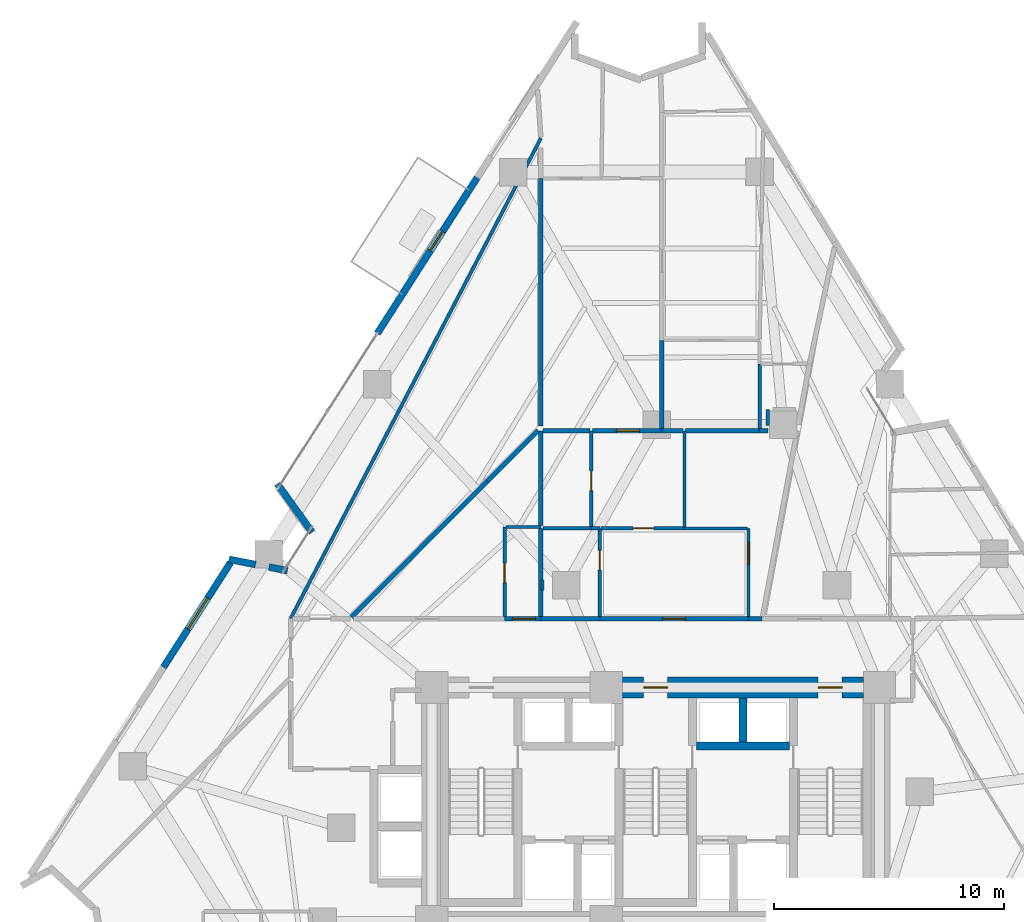
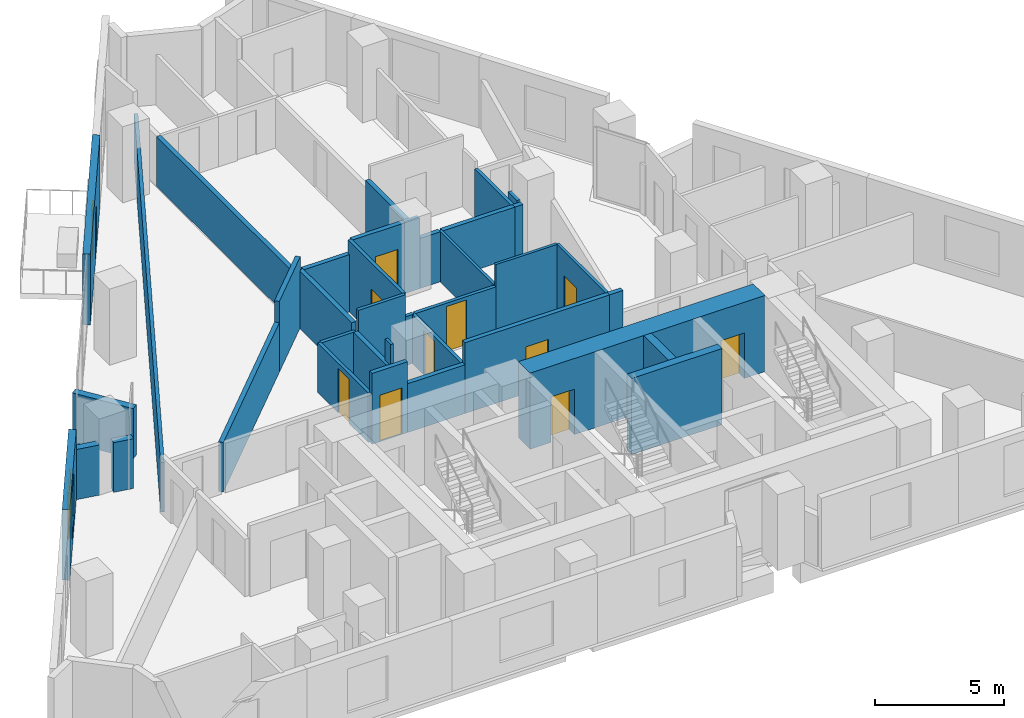
# One storey, part 7 of 13: 37 walls, 11 doors, 1 window, 12 openings.
"""IFC4 building model written with IfcOpenShell, lengths in metres."""

from ifc_helpers import new_model, si_unit, direction, frame, frame_2d, origin, place, context, subcontext, project, spatial, rectangle, extrude, material, layer, layer_set, type_object, element, fill, save


model = new_model("IFC4")

# Units and contexts
model_context = context("Model", 3, precision=1e-05, world=origin(), true_north=direction((0.0, 1.0)))
body_context = subcontext(model_context, "Body", "Model", "MODEL_VIEW")
ifc_project = project(units=[si_unit("LENGTHUNIT", "METRE"), si_unit("AREAUNIT", "SQUARE_METRE"), si_unit("VOLUMEUNIT", "CUBIC_METRE"), si_unit("PLANEANGLEUNIT", "RADIAN"), si_unit("MASSUNIT", "GRAM", prefix="KILO")], contexts=[model_context])

# Site, building, storey
site_placement = place(None, origin())
site = spatial("IfcSite", under=ifc_project, at=site_placement, CompositionType="ELEMENT")
building_placement = place(site_placement, origin())
building = spatial("IfcBuilding", under=site, at=building_placement, Name="Almagre Mirador Tower", CompositionType="ELEMENT")
storey_placement = place(building_placement, frame((0.0, 0.0, 82.199951171875)))
storey = spatial("IfcBuildingStorey", under=building, at=storey_placement, Name="L20", CompositionType="ELEMENT", Elevation=82.199951171875)

# Walls
ifc_material_1 = material(Name="Precast concrete C50/60", Category="concrete")
ifc_layer_1 = layer(ifc_material_1, 0.300048828125)
ifc_layer_set_1 = layer_set([ifc_layer_1], Name="Precast concrete C50/60")
wall_type_1 = type_object("IfcWallType", Name="WAL-EXT-300", PredefinedType="SOLIDWALL", material=ifc_layer_set_1)
wall_1_placement = place(storey_placement, frame((18.718505859375, 20.33154296875, 0.0), z_axis=(0.0, 0.0, 1.0), x_axis=(0.981768670621, -0.190079660635, 0.0)))
element("IfcWall", 1, at=wall_1_placement, inside=storey, type_object=wall_type_1, Name="L20 expressed almagre precast frame wall 01", PredefinedType="SOLIDWALL", context=body_context, shape_type="SweptSolid", body=[
    extrude(rectangle(XDim=1.182861328125, YDim=0.300048828125, at=frame_2d((0.59130859375, 0.0))), origin(), (0.0, 0.0, 1.0), 2.375),
])
wall_2_placement = place(storey_placement, frame((20.4560546875, 19.9951171875, 0.0), z_axis=(0.0, 0.0, 1.0), x_axis=(0.981715557517, -0.190353786749, 0.0)))
element("IfcWall", 2, at=wall_2_placement, inside=storey, type_object=wall_type_1, Name="L20 expressed almagre precast frame wall 02", PredefinedType="SOLIDWALL", context=body_context, shape_type="SweptSolid", body=[
    extrude(rectangle(XDim=0.823486328125, YDim=0.300048828125, at=frame_2d((0.41162109375, 0.0))), origin(), (0.0, 0.0, 1.0), 2.35009765625),
])
wall_3_placement = place(storey_placement, frame((22.336669921875, 21.51123046875, 0.0), z_axis=(0.0, 0.0, 1.0), x_axis=(-0.583178108206, 0.812344319922, 0.0)))
element("IfcWall", 3, at=wall_3_placement, inside=storey, type_object=wall_type_1, Name="L20 expressed almagre precast frame wall 03", PredefinedType="SOLIDWALL", context=body_context, shape_type="SweptSolid", body=[
    extrude(rectangle(XDim=2.593017578125, YDim=0.300048828125, at=frame_2d((1.29638671875, 0.0))), origin(), (0.0, 0.0, 1.0), 2.375),
])

# Wall, opening, door
wall_4_placement = place(storey_placement, frame((25.17724609375, 30.170654296875, 0.0), z_axis=(0.0, 0.0, 1.0), x_axis=(0.539427662029, 0.842031945616, 0.0)))
wall_4 = element("IfcWall", 4, at=wall_4_placement, inside=storey, type_object=wall_type_1, Name="L20 expressed almagre precast frame wall 04", PredefinedType="SOLIDWALL", context=body_context, shape_type="SweptSolid", body=[
    extrude(rectangle(XDim=8.057373046875, YDim=0.300048828125, at=frame_2d((4.02880859375, 0.0))), origin(), (0.0, 0.0, 1.0), 3.35009765625),
])
opening_1_placement = place(wall_4_placement, frame((4.28076171875, 0.0, 0.0)))
opening_1 = element("IfcOpeningElement", 5, at=opening_1_placement, cuts=wall_4, Name="Opening BD-01", PredefinedType="OPENING", context=body_context, shape_type="SweptSolid", body=[
    extrude(rectangle(XDim=1.0, YDim=2.199951171875, at=frame_2d((0.5, 1.10009765625))), frame((0.0, 0.159902, 0.0), z_axis=(0.0, -1.0, 0.0), x_axis=(1.0, 0.0, 0.0)), (0.0, 0.0, 1.0), 0.320049),
])
ifc_material_2 = material(Name="Black anodized aluminium and laminated glass", Category="aluminium")
door_type_1 = type_object("IfcDoorType", Name="DOR-BAL-1000X2200", OperationType="NOTDEFINED", PredefinedType="DOOR", material=ifc_material_2)
door_1_placement = place(opening_1_placement, origin())
door_1 = element("IfcDoor", 6, at=door_1_placement, inside=storey, type_object=door_type_1, Name="DR-0674 L20 west balcony glazed door 2", OperationType="SINGLE_SWING_RIGHT", OverallHeight=2.199951171875, OverallWidth=1.0, PredefinedType="DOOR", context=body_context, shape_type="SweptSolid", body=[
    extrude(rectangle(XDim=1.0, YDim=2.199951171875, at=frame_2d((0.5, 1.10009765625))), frame((0.0, 0.02490234375, 0.0), z_axis=(0.0, -1.0, 0.0), x_axis=(1.0, 0.0, 0.0)), (0.0, 0.0, 1.0), 0.050048828125),
])
fill(opening_1, door_1)

# Wall, opening, window
wall_5_placement = place(storey_placement, frame((15.8642578125, 15.63525390625, 0.0), z_axis=(0.0, 0.0, 1.0), x_axis=(0.53944798429, 0.842018926299, 0.0)))
wall_5 = element("IfcWall", 7, at=wall_5_placement, inside=storey, type_object=wall_type_1, Name="L20 expressed almagre precast frame wall 37", PredefinedType="SOLIDWALL", context=body_context, shape_type="SweptSolid", body=[
    extrude(rectangle(XDim=5.410888671875, YDim=0.300048828125, at=frame_2d((2.70556640625, 0.0))), origin(), (0.0, 0.0, 1.0), 3.35009765625),
])
opening_2_placement = place(wall_5_placement, frame((1.97509765625, 0.0, 0.550048828125)))
opening_2 = element("IfcOpeningElement", 8, at=opening_2_placement, cuts=wall_5, Name="Opening WN-06", PredefinedType="OPENING", context=body_context, shape_type="SweptSolid", body=[
    extrude(rectangle(XDim=1.60009765625, YDim=2.199951171875, at=frame_2d((0.800048828125, 1.10009765625))), frame((0.0, 0.159902, 0.0), z_axis=(0.0, -1.0, 0.0), x_axis=(1.0, 0.0, 0.0)), (0.0, 0.0, 1.0), 0.320049),
])
ifc_material_3 = material(Name="Dark solar-control laminated hurricane glass", Category="glass")
window_type = type_object("IfcWindowType", Name="WIN-1600X2200", PartitioningType="DOUBLE_PANEL_VERTICAL", PredefinedType="WINDOW", material=ifc_material_3)
window_placement = place(opening_2_placement, origin())
window = element("IfcWindow", 9, at=window_placement, inside=storey, type_object=window_type, Name="L20 recessed hurricane window L20-RST-E", OverallHeight=2.199951171875, OverallWidth=1.60009765625, PartitioningType="SINGLE_PANEL", PredefinedType="WINDOW", context=body_context, shape_type="SweptSolid", body=[
    extrude(rectangle(XDim=1.60009765625, YDim=2.199951171875, at=frame_2d((0.800048828125, 1.10009765625))), frame((0.0, 0.030029296875, 0.0), z_axis=(0.0, -1.0, 0.0), x_axis=(1.0, 0.0, 0.0)), (0.0, 0.0, 1.0), 0.06005859375),
])
fill(opening_2, window)

# Wall, opening, door
ifc_material_4 = material(Name="Gypsum acoustic stud partition", Category="other")
ifc_layer_2 = layer(ifc_material_4, 0.125)
ifc_layer_set_2 = layer_set([ifc_layer_2], Name="Gypsum acoustic stud partition")
wall_type_2 = type_object("IfcWallType", Name="WAL-PRT-125-UTL", PredefinedType="PARTITIONING", material=ifc_layer_set_2)
wall_6_placement = place(storey_placement, frame((41.340087890625, 17.8349609375, 0.0), z_axis=(0.0, 0.0, 1.0), x_axis=(0.0, 1.0, 0.0)))
wall_6 = element("IfcWall", 10, at=wall_6_placement, inside=storey, type_object=wall_type_2, Name="L20 interior partition 038", PredefinedType="PARTITIONING", context=body_context, shape_type="SweptSolid", body=[
    extrude(rectangle(XDim=3.844970703125, YDim=0.125, at=frame_2d((1.92236328125, 0.0))), origin(), (0.0, 0.0, 1.0), 3.35009765625),
])
opening_3_placement = place(wall_6_placement, frame((2.285400390625, 0.0, 0.0)))
opening_3 = element("IfcOpeningElement", 11, at=opening_3_placement, cuts=wall_6, Name="Opening UD-01", PredefinedType="OPENING", context=body_context, shape_type="SweptSolid", body=[
    extrude(rectangle(XDim=0.949951171875, YDim=2.199951171875, at=frame_2d((0.47509765625, 1.10009765625))), frame((0.0, 0.0725, 0.0), z_axis=(0.0, -1.0, 0.0), x_axis=(1.0, 0.0, 0.0)), (0.0, 0.0, 1.0), 0.145),
])
ifc_material_5 = material(Name="Solid American walnut timber", Category="wood")
door_type_2 = type_object("IfcDoorType", Name="DOR-UNR-950X2200", OperationType="NOTDEFINED", PredefinedType="DOOR", material=ifc_material_5)
door_2_placement = place(opening_3_placement, origin())
door_2 = element("IfcDoor", 12, at=door_2_placement, inside=storey, type_object=door_type_2, Name="DR-0688 L20 interior door L20-UH-LV to L20-UH-KT", OperationType="SINGLE_SWING_RIGHT", OverallHeight=2.199951171875, OverallWidth=0.949951171875, PredefinedType="DOOR", context=body_context, shape_type="SweptSolid", body=[
    extrude(rectangle(XDim=0.949951171875, YDim=2.199951171875, at=frame_2d((0.47509765625, 1.10009765625))), frame((0.0, 0.02490234375, 0.0), z_axis=(0.0, -1.0, 0.0), x_axis=(1.0, 0.0, 0.0)), (0.0, 0.0, 1.0), 0.050048828125),
])
fill(opening_3, door_2)

# Walls
wall_7_placement = place(storey_placement, frame((41.29248046875, 21.679931640625, 0.0), z_axis=(0.0, 0.0, 1.0), x_axis=(-1.0, 0.0, 0.0)))
element("IfcWall", 13, at=wall_7_placement, inside=storey, type_object=wall_type_2, Name="L20 interior partition 039", PredefinedType="PARTITIONING", context=body_context, shape_type="SweptSolid", body=[
    extrude(rectangle(XDim=2.742431640625, YDim=0.125, at=frame_2d((1.37109375, 0.0))), origin(), (0.0, 0.0, 1.0), 3.35009765625),
])
wall_8_placement = place(storey_placement, frame((38.550048828125, 25.929931640625, 0.0), z_axis=(0.0, 0.0, 1.0), x_axis=(0.0, -1.0, 0.0)))
element("IfcWall", 14, at=wall_8_placement, inside=storey, type_object=wall_type_2, Name="L20 interior partition 043", PredefinedType="PARTITIONING", context=body_context, shape_type="SweptSolid", body=[
    extrude(rectangle(XDim=4.202392578125, YDim=0.125, at=frame_2d((2.10107421875, 0.0))), origin(), (0.0, 0.0, 1.0), 2.3701171875),
])
wall_9_placement = place(storey_placement, frame((32.3798828125, 18.97998046875, 0.0), z_axis=(0.0, 0.0, 1.0), x_axis=(0.0, 1.0, 0.0)))
element("IfcWall", 15, at=wall_9_placement, inside=storey, type_object=wall_type_2, Name="L20 interior partition 074", PredefinedType="PARTITIONING", context=body_context, shape_type="SweptSolid", body=[
    extrude(rectangle(XDim=0.43994140625, YDim=0.125, at=frame_2d((0.219970703125, 0.0))), origin(), (0.0, 0.0, 1.0), 3.35009765625),
])
ifc_material_6 = material(Name="Gypsum acoustic stud partition", Category="other")
ifc_layer_3 = layer(ifc_material_6, 0.14990234375)
ifc_layer_set_3 = layer_set([ifc_layer_3], Name="Gypsum acoustic stud partition")
wall_type_3 = type_object("IfcWallType", Name="WAL-PRT-150-STD", PredefinedType="PARTITIONING", material=ifc_layer_set_3)
wall_10_placement = place(storey_placement, frame((21.39990234375, 17.75, 0.0), z_axis=(0.0, 0.0, 1.0), x_axis=(0.46207959711, 0.886838455376, 0.0)))
element("IfcWall", 16, at=wall_10_placement, inside=storey, type_object=wall_type_3, Name="L20 interior partition 025", PredefinedType="PARTITIONING", context=body_context, shape_type="SweptSolid", body=[
    extrude(rectangle(XDim=23.58935546875, YDim=0.14990234375, at=frame_2d((11.794677734375, 0.0))), origin(), (0.0, 0.0, 1.0), 2.344970703125),
])

# Wall, opening, door
wall_11_placement = place(storey_placement, frame((30.719970703125, 17.8349609375, 0.0), z_axis=(0.0, 0.0, 1.0), x_axis=(0.0, 1.0, 0.0)))
wall_11 = element("IfcWall", 17, at=wall_11_placement, inside=storey, type_object=wall_type_3, Name="L20 interior partition 029", PredefinedType="PARTITIONING", context=body_context, shape_type="SweptSolid", body=[
    extrude(rectangle(XDim=3.905029296875, YDim=0.14990234375, at=frame_2d((1.95263671875, 0.0))), origin(), (0.0, 0.0, 1.0), 2.344970703125),
])
opening_4_placement = place(wall_11_placement, frame((1.485107421875, 0.0, 0.0)))
opening_4 = element("IfcOpeningElement", 18, at=opening_4_placement, cuts=wall_11, Name="Opening UD-04", PredefinedType="OPENING", context=body_context, shape_type="SweptSolid", body=[
    extrude(rectangle(XDim=0.85009765625, YDim=2.10009765625, at=frame_2d((0.425048828125, 1.050048828125))), frame((0.0, 0.084951, 0.0), z_axis=(0.0, -1.0, 0.0), x_axis=(1.0, 0.0, 0.0)), (0.0, 0.0, 1.0), 0.169902),
])
ifc_material_7 = material(Name="Moisture-resistant oak timber", Category="wood")
door_type_3 = type_object("IfcDoorType", Name="DOR-UNR-850X2100", OperationType="NOTDEFINED", PredefinedType="DOOR", material=ifc_material_7)
door_3_placement = place(opening_4_placement, origin())
door_3 = element("IfcDoor", 19, at=door_3_placement, inside=storey, type_object=door_type_3, Name="DR-0686 L20 interior door L20-UF-ST to L20-UF-BT", OperationType="SINGLE_SWING_RIGHT", OverallHeight=2.10009765625, OverallWidth=0.85009765625, PredefinedType="DOOR", context=body_context, shape_type="SweptSolid", body=[
    extrude(rectangle(XDim=0.85009765625, YDim=2.10009765625, at=frame_2d((0.425048828125, 1.050048828125))), frame((0.0, 0.02490234375, 0.0), z_axis=(0.0, -1.0, 0.0), x_axis=(1.0, 0.0, 0.0)), (0.0, 0.0, 1.0), 0.050048828125),
])
fill(opening_4, door_3)

# Wall
wall_12_placement = place(storey_placement, frame((30.780029296875, 21.739990234375, 0.0), z_axis=(0.0, 0.0, 1.0), x_axis=(1.0, 0.0, 0.0)))
element("IfcWall", 20, at=wall_12_placement, inside=storey, type_object=wall_type_3, Name="L20 interior partition 031", PredefinedType="PARTITIONING", context=body_context, shape_type="SweptSolid", body=[
    extrude(rectangle(XDim=1.52001953125, YDim=0.14990234375, at=frame_2d((0.760009765625, 0.0))), origin(), (0.0, 0.0, 1.0), 2.344970703125),
])

# Wall, opening, door
wall_13_placement = place(storey_placement, frame((34.8701171875, 21.679931640625, 0.0), z_axis=(0.0, 0.0, 1.0), x_axis=(0.0, -1.0, 0.0)))
wall_13 = element("IfcWall", 21, at=wall_13_placement, inside=storey, type_object=wall_type_3, Name="L20 interior partition 037", PredefinedType="PARTITIONING", context=body_context, shape_type="SweptSolid", body=[
    extrude(rectangle(XDim=3.844970703125, YDim=0.14990234375, at=frame_2d((1.92236328125, 0.0))), origin(), (0.0, 0.0, 1.0), 2.30908203125),
])
opening_5_placement = place(wall_13_placement, frame((0.956787109375, 0.0, 0.0)))
opening_5 = element("IfcOpeningElement", 22, at=opening_5_placement, cuts=wall_13, Name="Opening UD-04", PredefinedType="OPENING", context=body_context, shape_type="SweptSolid", body=[
    extrude(rectangle(XDim=0.85009765625, YDim=2.10009765625, at=frame_2d((0.425048828125, 1.050048828125))), frame((0.0, 0.084951, 0.0), z_axis=(0.0, -1.0, 0.0), x_axis=(1.0, 0.0, 0.0)), (0.0, 0.0, 1.0), 0.169902),
])
door_4_placement = place(opening_5_placement, origin())
door_4 = element("IfcDoor", 23, at=door_4_placement, inside=storey, type_object=door_type_3, Name="DR-0689 L20 interior door L20-UH-LV to L20-UH-HB", OperationType="SINGLE_SWING_LEFT", OverallHeight=2.10009765625, OverallWidth=0.85009765625, PredefinedType="DOOR", context=body_context, shape_type="SweptSolid", body=[
    extrude(rectangle(XDim=0.85009765625, YDim=2.10009765625, at=frame_2d((0.425048828125, 1.050048828125))), frame((0.0, 0.02490234375, 0.0), z_axis=(0.0, -1.0, 0.0), x_axis=(1.0, 0.0, 0.0)), (0.0, 0.0, 1.0), 0.050048828125),
])
fill(opening_5, door_4)

wall_14_placement = place(storey_placement, frame((38.550048828125, 21.679931640625, 0.0), z_axis=(0.0, 0.0, 1.0), x_axis=(-1.0, 0.0, 0.0)))
wall_14 = element("IfcWall", 24, at=wall_14_placement, inside=storey, type_object=wall_type_3, Name="L20 interior partition 040", PredefinedType="PARTITIONING", context=body_context, shape_type="SweptSolid", body=[
    extrude(rectangle(XDim=3.6201171875, YDim=0.14990234375, at=frame_2d((1.81005859375, 0.0))), origin(), (0.0, 0.0, 1.0), 2.30908203125),
])
opening_6_placement = place(wall_14_placement, frame((1.33056640625, 0.0, 0.0)))
opening_6 = element("IfcOpeningElement", 25, at=opening_6_placement, cuts=wall_14, Name="Opening UD-02", PredefinedType="OPENING", context=body_context, shape_type="SweptSolid", body=[
    extrude(rectangle(XDim=0.89990234375, YDim=2.14990234375, at=frame_2d((0.449951171875, 1.074951171875))), frame((0.0, 0.084951, 0.0), z_axis=(0.0, -1.0, 0.0), x_axis=(1.0, 0.0, 0.0)), (0.0, 0.0, 1.0), 0.169902),
])
ifc_material_8 = material(Name="Solid American walnut timber", Category="wood")
door_type_4 = type_object("IfcDoorType", Name="DOR-UNR-900X2150", OperationType="NOTDEFINED", PredefinedType="DOOR", material=ifc_material_8)
door_5_placement = place(opening_6_placement, origin())
door_5 = element("IfcDoor", 26, at=door_5_placement, inside=storey, type_object=door_type_4, Name="DR-0690 L20 interior door L20-UH-LV to L20-UH-MB", OperationType="SINGLE_SWING_RIGHT", OverallHeight=2.14990234375, OverallWidth=0.89990234375, PredefinedType="DOOR", context=body_context, shape_type="SweptSolid", body=[
    extrude(rectangle(XDim=0.89990234375, YDim=2.14990234375, at=frame_2d((0.449951171875, 1.074951171875))), frame((0.0, 0.02490234375, 0.0), z_axis=(0.0, -1.0, 0.0), x_axis=(1.0, 0.0, 0.0)), (0.0, 0.0, 1.0), 0.050048828125),
])
fill(opening_6, door_5)

# Walls
wall_15_placement = place(storey_placement, frame((34.8701171875, 21.679931640625, 0.0), z_axis=(0.0, 0.0, 1.0), x_axis=(-1.0, 0.0, 0.0)))
element("IfcWall", 27, at=wall_15_placement, inside=storey, type_object=wall_type_3, Name="L20 interior partition 041", PredefinedType="PARTITIONING", context=body_context, shape_type="SweptSolid", body=[
    extrude(rectangle(XDim=0.3701171875, YDim=0.14990234375, at=frame_2d((0.18505859375, 0.0))), origin(), (0.0, 0.0, 1.0), 2.30908203125),
])
wall_16_placement = place(storey_placement, frame((34.5, 21.679931640625, 0.0), z_axis=(0.0, 0.0, 1.0), x_axis=(-1.0, 0.0, 0.0)))
element("IfcWall", 28, at=wall_16_placement, inside=storey, type_object=wall_type_3, Name="L20 interior partition 042", PredefinedType="PARTITIONING", context=body_context, shape_type="SweptSolid", body=[
    extrude(rectangle(XDim=2.114990234375, YDim=0.14990234375, at=frame_2d((1.0576171875, 0.0))), origin(), (0.0, 0.0, 1.0), 3.35009765625),
])

# Wall, opening, door
wall_17_placement = place(storey_placement, frame((34.5, 25.929931640625, 0.0), z_axis=(0.0, 0.0, 1.0), x_axis=(0.0, -1.0, 0.0)))
wall_17 = element("IfcWall", 29, at=wall_17_placement, inside=storey, type_object=wall_type_3, Name="L20 interior partition 047", PredefinedType="PARTITIONING", context=body_context, shape_type="SweptSolid", body=[
    extrude(rectangle(XDim=4.18994140625, YDim=0.14990234375, at=frame_2d((2.094970703125, 0.0))), origin(), (0.0, 0.0, 1.0), 3.35009765625),
])
opening_7_placement = place(wall_17_placement, frame((1.7578125, 0.0, 0.0)))
opening_7 = element("IfcOpeningElement", 30, at=opening_7_placement, cuts=wall_17, Name="Opening UD-04", PredefinedType="OPENING", context=body_context, shape_type="SweptSolid", body=[
    extrude(rectangle(XDim=0.85009765625, YDim=2.10009765625, at=frame_2d((0.425048828125, 1.050048828125))), frame((0.0, 0.084951, 0.0), z_axis=(0.0, -1.0, 0.0), x_axis=(1.0, 0.0, 0.0)), (0.0, 0.0, 1.0), 0.169902),
])
door_6_placement = place(opening_7_placement, origin())
door_6 = element("IfcDoor", 31, at=door_6_placement, inside=storey, type_object=door_type_3, Name="DR-0691 L20 interior door L20-UH-MB to L20-UH-EN", OperationType="SINGLE_SWING_LEFT", OverallHeight=2.10009765625, OverallWidth=0.85009765625, PredefinedType="DOOR", context=body_context, shape_type="SweptSolid", body=[
    extrude(rectangle(XDim=0.85009765625, YDim=2.10009765625, at=frame_2d((0.425048828125, 1.050048828125))), frame((0.0, 0.02490234375, 0.0), z_axis=(0.0, -1.0, 0.0), x_axis=(1.0, 0.0, 0.0)), (0.0, 0.0, 1.0), 0.050048828125),
])
fill(opening_7, door_6)

# Walls
wall_18_placement = place(storey_placement, frame((41.830078125, 26.014892578125, 0.0), z_axis=(0.0, 0.0, 1.0), x_axis=(0.0, 1.0, 0.0)))
element("IfcWall", 32, at=wall_18_placement, inside=storey, type_object=wall_type_3, Name="L20 interior partition 069", PredefinedType="PARTITIONING", context=body_context, shape_type="SweptSolid", body=[
    extrude(rectangle(XDim=2.8251953125, YDim=0.14990234375, at=frame_2d((1.41259765625, 0.0))), origin(), (0.0, 0.0, 1.0), 2.3701171875),
])
wall_19_placement = place(storey_placement, frame((42.18994140625, 26.169921875, 0.0), z_axis=(0.0, 0.0, 1.0), x_axis=(0.0, 1.0, 0.0)))
element("IfcWall", 33, at=wall_19_placement, inside=storey, type_object=wall_type_3, Name="L20 interior partition 072", PredefinedType="PARTITIONING", context=body_context, shape_type="SweptSolid", body=[
    extrude(rectangle(XDim=0.690185546875, YDim=0.14990234375, at=frame_2d((0.34521484375, 0.0))), origin(), (0.0, 0.0, 1.0), 2.3701171875),
])

# Wall, opening, door
ifc_material_9 = material(Name="Gypsum acoustic stud partition", Category="other")
ifc_layer_4 = layer(ifc_material_9, 0.199951171875)
ifc_layer_set_4 = layer_set([ifc_layer_4], Name="Gypsum acoustic stud partition")
wall_type_4 = type_object("IfcWallType", Name="WAL-PRT-200-EI60", PredefinedType="PARTITIONING", material=ifc_layer_set_4)
wall_20_placement = place(storey_placement, frame((32.300048828125, 17.75, 0.0), z_axis=(0.0, 0.0, 1.0), x_axis=(-1.0, 0.0, 0.0)))
wall_20 = element("IfcWall", 34, at=wall_20_placement, inside=storey, type_object=wall_type_4, Name="L20 interior partition 008", PredefinedType="PARTITIONING", context=body_context, shape_type="SweptSolid", body=[
    extrude(rectangle(XDim=1.580078125, YDim=0.199951171875, at=frame_2d((0.7900390625, 0.0))), origin(), (0.0, 0.0, 1.0), 3.35009765625),
])
opening_8_placement = place(wall_20_placement, frame((0.239990234375, 0.0, 0.0)))
opening_8 = element("IfcOpeningElement", 35, at=opening_8_placement, cuts=wall_20, Name="Opening ID-01", PredefinedType="OPENING", context=body_context, shape_type="SweptSolid", body=[
    extrude(rectangle(XDim=1.0, YDim=2.199951171875, at=frame_2d((0.5, 1.10009765625))), frame((0.0, 0.110098, 0.0), z_axis=(0.0, -1.0, 0.0), x_axis=(1.0, 0.0, 0.0)), (0.0, 0.0, 1.0), 0.219951),
])
ifc_material_10 = material(Name="Fire-rated walnut timber", Category="wood")
door_type_5 = type_object("IfcDoorType", Name="DOR-FD60-1000X2200", OperationType="NOTDEFINED", PredefinedType="DOOR", material=ifc_material_10)
door_7_placement = place(opening_8_placement, origin())
door_7 = element("IfcDoor", 36, at=door_7_placement, inside=storey, type_object=door_type_5, Name="DR-0704 L20 interior door L20-RCOR to L20-UF-BT", OperationType="SINGLE_SWING_RIGHT", OverallHeight=2.199951171875, OverallWidth=1.0, PredefinedType="DOOR", context=body_context, shape_type="SweptSolid", body=[
    extrude(rectangle(XDim=1.0, YDim=2.199951171875, at=frame_2d((0.5, 1.10009765625))), frame((0.0, 0.02490234375, 0.0), z_axis=(0.0, -1.0, 0.0), x_axis=(1.0, 0.0, 0.0)), (0.0, 0.0, 1.0), 0.050048828125),
])
fill(opening_8, door_7)

wall_21_placement = place(storey_placement, frame((41.340087890625, 17.75, 0.0), z_axis=(0.0, 0.0, 1.0), x_axis=(-1.0, 0.0, 0.0)))
wall_21 = element("IfcWall", 37, at=wall_21_placement, inside=storey, type_object=wall_type_4, Name="L20 interior partition 010", PredefinedType="PARTITIONING", context=body_context, shape_type="SweptSolid", body=[
    extrude(rectangle(XDim=6.469970703125, YDim=0.199951171875, at=frame_2d((3.23486328125, 0.0))), origin(), (0.0, 0.0, 1.0), 3.35009765625),
])
opening_9_placement = place(wall_21_placement, frame((2.735107421875, 0.0, 0.0)))
opening_9 = element("IfcOpeningElement", 38, at=opening_9_placement, cuts=wall_21, Name="Opening ID-01", PredefinedType="OPENING", context=body_context, shape_type="SweptSolid", body=[
    extrude(rectangle(XDim=1.0, YDim=2.199951171875, at=frame_2d((0.5, 1.10009765625))), frame((0.0, 0.110098, 0.0), z_axis=(0.0, -1.0, 0.0), x_axis=(1.0, 0.0, 0.0)), (0.0, 0.0, 1.0), 0.219951),
])
door_8_placement = place(opening_9_placement, origin())
door_8 = element("IfcDoor", 39, at=door_8_placement, inside=storey, type_object=door_type_5, Name="DR-0687 L20 interior door L20-RCOR to L20-UH-LV", OperationType="SINGLE_SWING_LEFT", OverallHeight=2.199951171875, OverallWidth=1.0, PredefinedType="DOOR", context=body_context, shape_type="SweptSolid", body=[
    extrude(rectangle(XDim=1.0, YDim=2.199951171875, at=frame_2d((0.5, 1.10009765625))), frame((0.0, 0.02490234375, 0.0), z_axis=(0.0, -1.0, 0.0), x_axis=(1.0, 0.0, 0.0)), (0.0, 0.0, 1.0), 0.050048828125),
])
fill(opening_9, door_8)

# Walls
wall_22_placement = place(storey_placement, frame((34.8701171875, 17.75, 0.0), z_axis=(0.0, 0.0, 1.0), x_axis=(-1.0, 0.0, 0.0)))
element("IfcWall", 40, at=wall_22_placement, inside=storey, type_object=wall_type_4, Name="L20 interior partition 011", PredefinedType="PARTITIONING", context=body_context, shape_type="SweptSolid", body=[
    extrude(rectangle(XDim=2.570068359375, YDim=0.199951171875, at=frame_2d((1.28515625, 0.0))), origin(), (0.0, 0.0, 1.0), 2.30908203125),
])
wall_23_placement = place(storey_placement, frame((41.93994140625, 17.75, 0.0), z_axis=(0.0, 0.0, 1.0), x_axis=(-1.0, 0.0, 0.0)))
element("IfcWall", 41, at=wall_23_placement, inside=storey, type_object=wall_type_4, Name="L20 interior partition 012", PredefinedType="PARTITIONING", context=body_context, shape_type="SweptSolid", body=[
    extrude(rectangle(XDim=0.599853515625, YDim=0.199951171875, at=frame_2d((0.2998046875, 0.0))), origin(), (0.0, 0.0, 1.0), 3.35009765625),
])
wall_24_placement = place(storey_placement, frame((29.969970703125, 23.72998046875, 0.0), z_axis=(0.0, 0.0, 1.0), x_axis=(-0.707106781187, -0.707106781187, 0.0)))
element("IfcWall", 42, at=wall_24_placement, inside=storey, type_object=wall_type_4, Name="L20 interior partition 030", PredefinedType="PARTITIONING", context=body_context, shape_type="SweptSolid", body=[
    extrude(rectangle(XDim=8.3720703125, YDim=0.199951171875, at=frame_2d((4.18603515625, 0.0))), origin(), (0.0, 0.0, 1.0), 2.344970703125),
])
wall_25_placement = place(storey_placement, frame((32.18701171875, 25.947021484375, 0.0), z_axis=(0.0, 0.0, 1.0), x_axis=(-0.707106781187, -0.707106781187, 0.0)))
element("IfcWall", 43, at=wall_25_placement, inside=storey, type_object=wall_type_4, Name="L20 interior partition 032", PredefinedType="PARTITIONING", context=body_context, shape_type="SweptSolid", body=[
    extrude(rectangle(XDim=3.13525390625, YDim=0.199951171875, at=frame_2d((1.567626953125, 0.0))), origin(), (0.0, 0.0, 1.0), 3.35009765625),
])
wall_26_placement = place(storey_placement, frame((32.300048828125, 21.800048828125, 0.0), z_axis=(0.0, 0.0, 1.0), x_axis=(0.0, 1.0, 0.0)))
element("IfcWall", 44, at=wall_26_placement, inside=storey, type_object=wall_type_4, Name="L20 interior partition 033", PredefinedType="PARTITIONING", context=body_context, shape_type="SweptSolid", body=[
    extrude(rectangle(XDim=4.1298828125, YDim=0.199951171875, at=frame_2d((2.06494140625, 0.0))), origin(), (0.0, 0.0, 1.0), 2.708984375),
])
wall_27_placement = place(storey_placement, frame((32.300048828125, 17.8349609375, 0.0), z_axis=(0.0, 0.0, 1.0), x_axis=(0.0, 1.0, 0.0)))
element("IfcWall", 45, at=wall_27_placement, inside=storey, type_object=wall_type_4, Name="L20 interior partition 034", PredefinedType="PARTITIONING", context=body_context, shape_type="SweptSolid", body=[
    extrude(rectangle(XDim=3.844970703125, YDim=0.199951171875, at=frame_2d((1.92236328125, 0.0))), origin(), (0.0, 0.0, 1.0), 2.344970703125),
])
wall_28_placement = place(storey_placement, frame((32.300048828125, 26.14501953125, 0.0), z_axis=(0.0, 0.0, 1.0), x_axis=(0.0, 1.0, 0.0)))
element("IfcWall", 46, at=wall_28_placement, inside=storey, type_object=wall_type_4, Name="L20 interior partition 035", PredefinedType="PARTITIONING", context=body_context, shape_type="SweptSolid", body=[
    extrude(rectangle(XDim=10.77490234375, YDim=0.199951171875, at=frame_2d((5.387451171875, 0.0))), origin(), (0.0, 0.0, 1.0), 2.344970703125),
])
wall_29_placement = place(storey_placement, frame((41.830078125, 25.929931640625, 0.0), z_axis=(0.0, 0.0, 1.0), x_axis=(-1.0, 0.0, 0.0)))
element("IfcWall", 47, at=wall_29_placement, inside=storey, type_object=wall_type_4, Name="L20 interior partition 045", PredefinedType="PARTITIONING", context=body_context, shape_type="SweptSolid", body=[
    extrude(rectangle(XDim=3.232666015625, YDim=0.199951171875, at=frame_2d((1.6162109375, 0.0))), origin(), (0.0, 0.0, 1.0), 2.3701171875),
])
wall_30_placement = place(storey_placement, frame((42.18994140625, 25.929931640625, 0.0), z_axis=(0.0, 0.0, 1.0), x_axis=(-1.0, 0.0, 0.0)))
element("IfcWall", 48, at=wall_30_placement, inside=storey, type_object=wall_type_4, Name="L20 interior partition 046", PredefinedType="PARTITIONING", context=body_context, shape_type="SweptSolid", body=[
    extrude(rectangle(XDim=0.35986328125, YDim=0.199951171875, at=frame_2d((0.179931640625, 0.0))), origin(), (0.0, 0.0, 1.0), 2.3701171875),
])

# Wall, opening, door
wall_31_placement = place(storey_placement, frame((37.570068359375, 25.929931640625, 0.0), z_axis=(0.0, 0.0, 1.0), x_axis=(-1.0, 0.0, 0.0)))
wall_31 = element("IfcWall", 49, at=wall_31_placement, inside=storey, type_object=wall_type_4, Name="L20 interior partition 048", PredefinedType="PARTITIONING", context=body_context, shape_type="SweptSolid", body=[
    extrude(rectangle(XDim=3.010009765625, YDim=0.199951171875, at=frame_2d((1.5048828125, 0.0))), origin(), (0.0, 0.0, 1.0), 3.35009765625),
])
opening_10_placement = place(wall_31_placement, frame((0.975341796875, 0.0, 0.0)))
opening_10 = element("IfcOpeningElement", 50, at=opening_10_placement, cuts=wall_31, Name="Opening ID-01", PredefinedType="OPENING", context=body_context, shape_type="SweptSolid", body=[
    extrude(rectangle(XDim=1.0, YDim=2.199951171875, at=frame_2d((0.5, 1.10009765625))), frame((0.0, 0.110098, 0.0), z_axis=(0.0, -1.0, 0.0), x_axis=(1.0, 0.0, 0.0)), (0.0, 0.0, 1.0), 0.219951),
])
door_9_placement = place(opening_10_placement, origin())
door_9 = element("IfcDoor", 51, at=door_9_placement, inside=storey, type_object=door_type_5, Name="DR-0702 L20 interior door L20-UH-MB to L20-UK-ST", OperationType="SINGLE_SWING_RIGHT", OverallHeight=2.199951171875, OverallWidth=1.0, PredefinedType="DOOR", context=body_context, shape_type="SweptSolid", body=[
    extrude(rectangle(XDim=1.0, YDim=2.199951171875, at=frame_2d((0.5, 1.10009765625))), frame((0.0, 0.02490234375, 0.0), z_axis=(0.0, -1.0, 0.0), x_axis=(1.0, 0.0, 0.0)), (0.0, 0.0, 1.0), 0.050048828125),
])
fill(opening_10, door_9)

# Walls
wall_32_placement = place(storey_placement, frame((38.50244140625, 25.929931640625, 0.0), z_axis=(0.0, 0.0, 1.0), x_axis=(-1.0, 0.0, 0.0)))
element("IfcWall", 52, at=wall_32_placement, inside=storey, type_object=wall_type_4, Name="L20 interior partition 049", PredefinedType="PARTITIONING", context=body_context, shape_type="SweptSolid", body=[
    extrude(rectangle(XDim=0.932373046875, YDim=0.199951171875, at=frame_2d((0.46630859375, 0.0))), origin(), (0.0, 0.0, 1.0), 2.3701171875),
])
wall_33_placement = place(storey_placement, frame((34.43994140625, 25.929931640625, 0.0), z_axis=(0.0, 0.0, 1.0), x_axis=(-1.0, 0.0, 0.0)))
element("IfcWall", 53, at=wall_33_placement, inside=storey, type_object=wall_type_4, Name="L20 interior partition 050", PredefinedType="PARTITIONING", context=body_context, shape_type="SweptSolid", body=[
    extrude(rectangle(XDim=2.054931640625, YDim=0.199951171875, at=frame_2d((1.02734375, 0.0))), origin(), (0.0, 0.0, 1.0), 2.708984375),
])
wall_34_placement = place(storey_placement, frame((37.570068359375, 26.014892578125, 0.0), z_axis=(0.0, 0.0, 1.0), x_axis=(0.0, 1.0, 0.0)))
element("IfcWall", 54, at=wall_34_placement, inside=storey, type_object=wall_type_4, Name="L20 interior partition 061", PredefinedType="PARTITIONING", context=body_context, shape_type="SweptSolid", body=[
    extrude(rectangle(XDim=3.855224609375, YDim=0.199951171875, at=frame_2d((1.927734375, 0.0))), origin(), (0.0, 0.0, 1.0), 2.708984375),
])
ifc_material_11 = material(Name="Concrete C60/75", Category="concrete")
ifc_layer_5 = layer(ifc_material_11, 0.35009765625)
ifc_layer_set_5 = layer_set([ifc_layer_5], Name="Concrete C60/75")
wall_type_5 = type_object("IfcWallType", Name="WAL-SHF-350", PredefinedType="SOLIDWALL", material=ifc_layer_set_5)
wall_35_placement = place(storey_placement, frame((39.074951171875, 12.199951171875, 0.0), z_axis=(0.0, 0.0, 1.0), x_axis=(1.0, 0.0, 0.0)))
element("IfcWall", 55, at=wall_35_placement, inside=storey, type_object=wall_type_5, Name="L20 shaft wall PLH-S", PredefinedType="SOLIDWALL", context=body_context, shape_type="SweptSolid", body=[
    extrude(rectangle(XDim=4.050048828125, YDim=0.35009765625, at=frame_2d((2.02490234375, 0.0))), origin(), (0.0, 0.0, 1.0), 3.60009765625),
])
wall_36_placement = place(storey_placement, frame((41.10009765625, 12.375, 0.0), z_axis=(0.0, 0.0, 1.0), x_axis=(0.0, 1.0, 0.0)))
element("IfcWall", 56, at=wall_36_placement, inside=storey, type_object=wall_type_5, Name="L20 shaft wall PLH-M", PredefinedType="SOLIDWALL", context=body_context, shape_type="SweptSolid", body=[
    extrude(rectangle(XDim=1.925048828125, YDim=0.35009765625, at=frame_2d((0.96240234375, 0.0))), origin(), (0.0, 0.0, 1.0), 3.60009765625),
])

# Wall, openings, doors
ifc_material_12 = material(Name="Concrete C70/85", Category="concrete")
ifc_layer_6 = layer(ifc_material_12, 0.89990234375)
ifc_layer_set_6 = layer_set([ifc_layer_6], Name="Concrete C70/85")
wall_type_6 = type_object("IfcWallType", Name="WAL-SHR-900", PredefinedType="SHEAR", material=ifc_layer_set_6)
wall_37_placement = place(storey_placement, frame((35.85009765625, 14.75, 0.0), z_axis=(0.0, 0.0, 1.0), x_axis=(1.0, 0.0, 0.0)))
wall_37 = element("IfcWall", 57, at=wall_37_placement, inside=storey, type_object=wall_type_6, Name="L20 core shear wall N2", PredefinedType="SHEAR", context=body_context, shape_type="SweptSolid", body=[
    extrude(rectangle(XDim=10.5, YDim=0.89990234375, at=frame_2d((5.25, 0.0))), origin(), (0.0, 0.0, 1.0), 3.60009765625),
])
opening_11_placement = place(wall_37_placement, frame((0.925048828125, 0.0, 0.0)))
opening_11 = element("IfcOpeningElement", 58, at=opening_11_placement, cuts=wall_37, Name="Opening SD-01", PredefinedType="OPENING", context=body_context, shape_type="SweptSolid", body=[
    extrude(rectangle(XDim=1.050048828125, YDim=2.14990234375, at=frame_2d((0.52490234375, 1.074951171875))), frame((0.0, 0.459951, 0.0), z_axis=(0.0, -1.0, 0.0), x_axis=(1.0, 0.0, 0.0)), (0.0, 0.0, 1.0), 0.919902),
])
opening_12_placement = place(wall_37_placement, frame((8.52490234375, 0.0, 0.0)))
opening_12 = element("IfcOpeningElement", 59, at=opening_12_placement, cuts=wall_37, Name="Opening SD-01", PredefinedType="OPENING", context=body_context, shape_type="SweptSolid", body=[
    extrude(rectangle(XDim=1.050048828125, YDim=2.14990234375, at=frame_2d((0.52490234375, 1.074951171875))), frame((0.0, 0.459951, 0.0), z_axis=(0.0, -1.0, 0.0), x_axis=(1.0, 0.0, 0.0)), (0.0, 0.0, 1.0), 0.919902),
])
ifc_material_13 = material(Name="Fire-rated hollow steel", Category="steel")
door_type_6 = type_object("IfcDoorType", Name="DOR-ST-1050X2150", OperationType="NOTDEFINED", PredefinedType="DOOR", material=ifc_material_13)
door_10_placement = place(opening_11_placement, origin())
door_10 = element("IfcDoor", 60, at=door_10_placement, inside=storey, type_object=door_type_6, Name="DR-0710 L20 protected exit stair ST-2 door", OperationType="SINGLE_SWING_RIGHT", OverallHeight=2.14990234375, OverallWidth=1.050048828125, PredefinedType="DOOR", context=body_context, shape_type="SweptSolid", body=[
    extrude(rectangle(XDim=1.050048828125, YDim=2.14990234375, at=frame_2d((0.52490234375, 1.074951171875))), frame((0.0, 0.02490234375, 0.0), z_axis=(0.0, -1.0, 0.0), x_axis=(1.0, 0.0, 0.0)), (0.0, 0.0, 1.0), 0.050048828125),
])
fill(opening_11, door_10)
door_11_placement = place(opening_12_placement, origin())
door_11 = element("IfcDoor", 61, at=door_11_placement, inside=storey, type_object=door_type_6, Name="DR-0711 L20 protected exit stair ST-3 door", OperationType="SINGLE_SWING_LEFT", OverallHeight=2.14990234375, OverallWidth=1.050048828125, PredefinedType="DOOR", context=body_context, shape_type="SweptSolid", body=[
    extrude(rectangle(XDim=1.050048828125, YDim=2.14990234375, at=frame_2d((0.52490234375, 1.074951171875))), frame((0.0, 0.02490234375, 0.0), z_axis=(0.0, -1.0, 0.0), x_axis=(1.0, 0.0, 0.0)), (0.0, 0.0, 1.0), 0.050048828125),
])
fill(opening_12, door_11)

save(model, "model.ifc")
